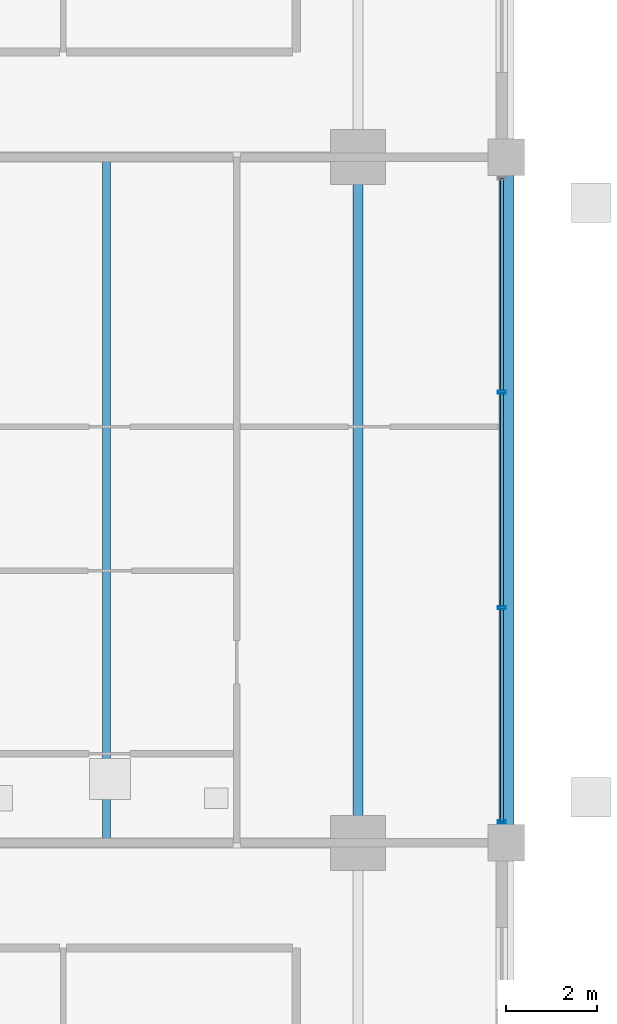
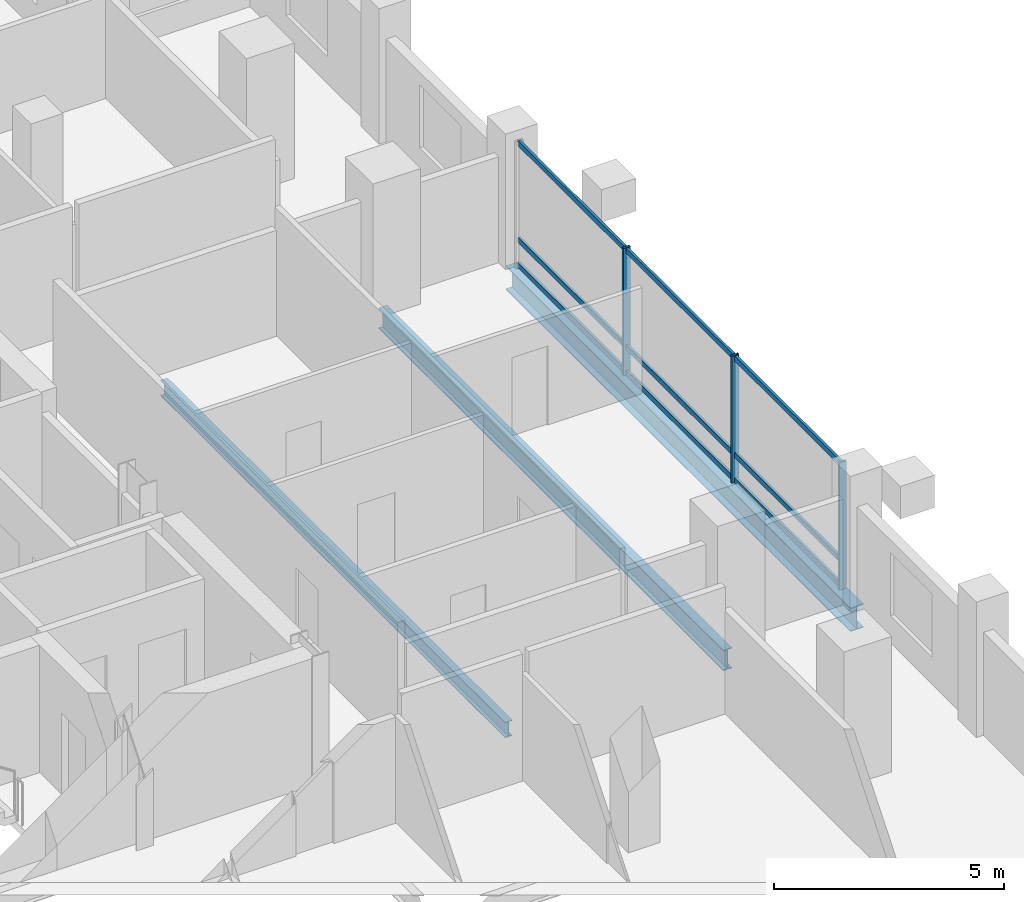
# One storey, part 7 of 20: 12 members, 3 beams, 1 element without a shape of its own.
"""IFC4 building model written with IfcOpenShell, lengths in metres."""

from ifc_helpers import new_model, si_unit, direction, frame, origin, origin_2d, place, context, subcontext, project, spatial, hollow_rectangle, i_section, extrude, material, layer, layer_set, material_profile, profile_set, type_object, element, aggregate, save


model = new_model("IFC4")

# Units and contexts
model_context = context("Model", 3, precision=1e-05, world=origin(), true_north=direction((0.0, 1.0)))
body_context = subcontext(model_context, "Body", "Model", "MODEL_VIEW")
ifc_project = project(units=[si_unit("LENGTHUNIT", "METRE"), si_unit("AREAUNIT", "SQUARE_METRE"), si_unit("VOLUMEUNIT", "CUBIC_METRE"), si_unit("PLANEANGLEUNIT", "RADIAN"), si_unit("MASSUNIT", "GRAM", prefix="KILO")], contexts=[model_context])

# Site, building, storey
site_placement = place(None, origin())
site = spatial("IfcSite", under=ifc_project, at=site_placement, CompositionType="ELEMENT")
building_placement = place(site_placement, origin())
building = spatial("IfcBuilding", under=site, at=building_placement, Name="Barlavira Tower and Art Museum", CompositionType="ELEMENT")
storey_placement = place(building_placement, frame((0.0, 0.0, 147.60009765625)))
storey = spatial("IfcBuildingStorey", under=building, at=storey_placement, Name="L37", CompositionType="ELEMENT", Elevation=147.60009765625)

# Curtain wall, members
ifc_material_1 = material(Name="Low-iron coastal laminated glass", Category="glass")
ifc_layer = layer(ifc_material_1, 0.18994140625, Name="Low-iron coastal laminated glass")
ifc_layer_set = layer_set([ifc_layer], Name="Low-iron coastal laminated glass")
curtain_wall_type = type_object("IfcCurtainWallType", Name="Pale-Metal Unitised Curtain Wall Zone 2", PredefinedType="NOTDEFINED", material=ifc_layer_set)
curtain_wall_placement = place(storey_placement, origin())
curtain_wall = element("IfcCurtainWall", 1, at=curtain_wall_placement, inside=storey, type_object=curtain_wall_type, Name="L37 Curtain Wall CW2-L37-E-B3", PredefinedType="NOTDEFINED")
ifc_material_2 = material(Name="Pale anodised aluminium", Category="aluminium")
ifc_material_profile_1 = material_profile(ifc_material_2, hollow_rectangle(XDim=0.06494140625, YDim=0.179931640625, WallThickness=0.00390625, at=origin_2d()), Name="ALU-MULL 65x180x4")
ifc_profile_set_1 = profile_set([ifc_material_profile_1], Name="Pale anodised aluminium")
member_type_1 = type_object("IfcMemberType", Name="Curtain Wall Pale-Metal Mullion 65x180", PredefinedType="MULLION", material=ifc_profile_set_1)
member_1_placement = place(storey_placement, frame((20.14990234375, -7.034912109375, 0.0), z_axis=(0.0, 0.0, 1.0), x_axis=(0.0, 1.0, 0.0)))
member_1 = element("IfcMember", 2, at=member_1_placement, type_object=member_type_1, Name="CW2-L37-E-B3 Mullion 0", PredefinedType="MULLION", context=body_context, shape_type="SweptSolid", body=[
    extrude(hollow_rectangle(XDim=0.06494140625, YDim=0.179931640625, WallThickness=0.00390625, at=origin_2d()), origin(), (0.0, 0.0, 1.0), 3.3798828125),
])
member_2_placement = place(storey_placement, frame((20.14990234375, -2.360107421875, 0.0), z_axis=(0.0, 0.0, 1.0), x_axis=(0.0, 1.0, 0.0)))
member_2 = element("IfcMember", 3, at=member_2_placement, type_object=member_type_1, Name="CW2-L37-E-B3 Mullion 1", PredefinedType="MULLION", context=body_context, shape_type="SweptSolid", body=[
    extrude(hollow_rectangle(XDim=0.06494140625, YDim=0.179931640625, WallThickness=0.00390625, at=origin_2d()), origin(), (0.0, 0.0, 1.0), 3.3798828125),
])
member_3_placement = place(storey_placement, frame((20.14990234375, 2.360107421875, 0.0), z_axis=(0.0, 0.0, 1.0), x_axis=(0.0, 1.0, 0.0)))
member_3 = element("IfcMember", 4, at=member_3_placement, type_object=member_type_1, Name="CW2-L37-E-B3 Mullion 2", PredefinedType="MULLION", context=body_context, shape_type="SweptSolid", body=[
    extrude(hollow_rectangle(XDim=0.06494140625, YDim=0.179931640625, WallThickness=0.00390625, at=origin_2d()), origin(), (0.0, 0.0, 1.0), 3.3798828125),
])
ifc_material_profile_2 = material_profile(ifc_material_2, hollow_rectangle(XDim=0.06494140625, YDim=0.139892578125, WallThickness=0.00390625, at=origin_2d()), Name="ALU-TRAN 65x140x4")
ifc_profile_set_2 = profile_set([ifc_material_profile_2], Name="Pale anodised aluminium")
member_type_2 = type_object("IfcMemberType", Name="Curtain Wall Pale-Metal Transom 65x140", PredefinedType="USERDEFINED", material=ifc_profile_set_2)
member_4_placement = place(storey_placement, frame((20.14990234375, -7.034912109375, 0.06982421875), z_axis=(0.0, 1.0, 0.0), x_axis=(-1.0, 0.0, 0.0)))
member_4 = element("IfcMember", 5, at=member_4_placement, type_object=member_type_2, Name="CW2-L37-E-B3 Transom 0.1", ObjectType="TRANSOM", PredefinedType="USERDEFINED", context=body_context, shape_type="SweptSolid", body=[
    extrude(hollow_rectangle(XDim=0.06494140625, YDim=0.139892578125, WallThickness=0.00390625, at=origin_2d()), origin(), (0.0, 0.0, 1.0), 4.6298828125),
])
member_5_placement = place(storey_placement, frame((20.14990234375, -7.034912109375, 0.743896484375), z_axis=(0.0, 1.0, 0.0), x_axis=(-1.0, 0.0, 0.0)))
member_5 = element("IfcMember", 6, at=member_5_placement, type_object=member_type_2, Name="CW2-L37-E-B3 Transom 0.2", ObjectType="TRANSOM", PredefinedType="USERDEFINED", context=body_context, shape_type="SweptSolid", body=[
    extrude(hollow_rectangle(XDim=0.06494140625, YDim=0.139892578125, WallThickness=0.00390625, at=origin_2d()), origin(), (0.0, 0.0, 1.0), 4.6298828125),
])
member_6_placement = place(storey_placement, frame((20.14990234375, -7.034912109375, 3.309814453125), z_axis=(0.0, 1.0, 0.0), x_axis=(-1.0, 0.0, 0.0)))
member_6 = element("IfcMember", 7, at=member_6_placement, type_object=member_type_2, Name="CW2-L37-E-B3 Transom 0.3", ObjectType="TRANSOM", PredefinedType="USERDEFINED", context=body_context, shape_type="SweptSolid", body=[
    extrude(hollow_rectangle(XDim=0.06494140625, YDim=0.139892578125, WallThickness=0.00390625, at=origin_2d()), origin(), (0.0, 0.0, 1.0), 4.6298828125),
])
member_7_placement = place(storey_placement, frame((20.14990234375, -2.31494140625, 0.06982421875), z_axis=(0.0, 1.0, 0.0), x_axis=(-1.0, 0.0, 0.0)))
member_7 = element("IfcMember", 8, at=member_7_placement, type_object=member_type_2, Name="CW2-L37-E-B3 Transom 1.1", ObjectType="TRANSOM", PredefinedType="USERDEFINED", context=body_context, shape_type="SweptSolid", body=[
    extrude(hollow_rectangle(XDim=0.06494140625, YDim=0.139892578125, WallThickness=0.00390625, at=origin_2d()), origin(), (0.0, 0.0, 1.0), 4.6298828125),
])
member_8_placement = place(storey_placement, frame((20.14990234375, -2.31494140625, 0.743896484375), z_axis=(0.0, 1.0, 0.0), x_axis=(-1.0, 0.0, 0.0)))
member_8 = element("IfcMember", 9, at=member_8_placement, type_object=member_type_2, Name="CW2-L37-E-B3 Transom 1.2", ObjectType="TRANSOM", PredefinedType="USERDEFINED", context=body_context, shape_type="SweptSolid", body=[
    extrude(hollow_rectangle(XDim=0.06494140625, YDim=0.139892578125, WallThickness=0.00390625, at=origin_2d()), origin(), (0.0, 0.0, 1.0), 4.6298828125),
])
member_9_placement = place(storey_placement, frame((20.14990234375, -2.31494140625, 3.309814453125), z_axis=(0.0, 1.0, 0.0), x_axis=(-1.0, 0.0, 0.0)))
member_9 = element("IfcMember", 10, at=member_9_placement, type_object=member_type_2, Name="CW2-L37-E-B3 Transom 1.3", ObjectType="TRANSOM", PredefinedType="USERDEFINED", context=body_context, shape_type="SweptSolid", body=[
    extrude(hollow_rectangle(XDim=0.06494140625, YDim=0.139892578125, WallThickness=0.00390625, at=origin_2d()), origin(), (0.0, 0.0, 1.0), 4.6298828125),
])
member_10_placement = place(storey_placement, frame((20.14990234375, 2.405029296875, 0.06982421875), z_axis=(0.0, 1.0, 0.0), x_axis=(-1.0, 0.0, 0.0)))
member_10 = element("IfcMember", 11, at=member_10_placement, type_object=member_type_2, Name="CW2-L37-E-B3 Transom 2.1", ObjectType="TRANSOM", PredefinedType="USERDEFINED", context=body_context, shape_type="SweptSolid", body=[
    extrude(hollow_rectangle(XDim=0.06494140625, YDim=0.139892578125, WallThickness=0.00390625, at=origin_2d()), origin(), (0.0, 0.0, 1.0), 4.6298828125),
])
member_11_placement = place(storey_placement, frame((20.14990234375, 2.405029296875, 0.743896484375), z_axis=(0.0, 1.0, 0.0), x_axis=(-1.0, 0.0, 0.0)))
member_11 = element("IfcMember", 12, at=member_11_placement, type_object=member_type_2, Name="CW2-L37-E-B3 Transom 2.2", ObjectType="TRANSOM", PredefinedType="USERDEFINED", context=body_context, shape_type="SweptSolid", body=[
    extrude(hollow_rectangle(XDim=0.06494140625, YDim=0.139892578125, WallThickness=0.00390625, at=origin_2d()), origin(), (0.0, 0.0, 1.0), 4.6298828125),
])
member_12_placement = place(storey_placement, frame((20.14990234375, 2.405029296875, 3.309814453125), z_axis=(0.0, 1.0, 0.0), x_axis=(-1.0, 0.0, 0.0)))
member_12 = element("IfcMember", 13, at=member_12_placement, type_object=member_type_2, Name="CW2-L37-E-B3 Transom 2.3", ObjectType="TRANSOM", PredefinedType="USERDEFINED", context=body_context, shape_type="SweptSolid", body=[
    extrude(hollow_rectangle(XDim=0.06494140625, YDim=0.139892578125, WallThickness=0.00390625, at=origin_2d()), origin(), (0.0, 0.0, 1.0), 4.6298828125),
])
aggregate(curtain_wall, [member_1, member_2, member_3, member_4, member_5, member_6, member_7, member_8, member_9, member_10, member_11, member_12])

# Beams
ifc_material_3 = material(Name="Steel S355", Category="steel")
ifc_material_profile_3 = material_profile(ifc_material_3, i_section(OverallWidth=0.327880859375, OverallDepth=0.62890625, WebThickness=0.013916015625, FlangeThickness=0.021484375, at=origin_2d()), Name="W610x174.0")
ifc_profile_set_3 = profile_set([ifc_material_profile_3], Name="Steel S355")
beam_type_1 = type_object("IfcBeamType", Name="Perimeter Spandrel Edge Beam W610x174 Steel S355", PredefinedType="SPANDREL", material=ifc_profile_set_3)
beam_1_placement = place(storey_placement, frame((20.25, -7.5, -0.53466796875), z_axis=(0.0, 1.0, 0.0), x_axis=(-1.0, 0.0, 0.0)))
element("IfcBeam", 14, at=beam_1_placement, inside=storey, type_object=beam_type_1, Name="L37 Spandrel 6", PredefinedType="SPANDREL", context=body_context, shape_type="SweptSolid", body=[
    extrude(i_section(OverallWidth=0.327880859375, OverallDepth=0.62890625, WebThickness=0.013916015625, FlangeThickness=0.021484375, at=origin_2d()), origin(), (0.0, 0.0, 1.0), 15.0),
])
ifc_material_profile_4 = material_profile(ifc_material_3, i_section(OverallWidth=0.214111328125, OverallDepth=0.549072265625, WebThickness=0.0146484375, FlangeThickness=0.023681640625, at=origin_2d()), Name="W530x138.0")
ifc_profile_set_4 = profile_set([ifc_material_profile_4], Name="Steel S355")
beam_type_2 = type_object("IfcBeamType", Name="Zone 1 Primary Floor Girder W530x138 Steel S355", PredefinedType="BEAM", material=ifc_profile_set_4)
beam_2_placement = place(storey_placement, frame((17.0, -7.5, -0.49462890625), z_axis=(0.0, 1.0, 0.0), x_axis=(-1.0, 0.0, 0.0)))
element("IfcBeam", 15, at=beam_2_placement, inside=storey, type_object=beam_type_2, Name="L37 Girder M-E2", PredefinedType="BEAM", context=body_context, shape_type="SweptSolid", body=[
    extrude(i_section(OverallWidth=0.214111328125, OverallDepth=0.549072265625, WebThickness=0.0146484375, FlangeThickness=0.023681640625, at=origin_2d()), origin(), (0.0, 0.0, 1.0), 15.0),
])
ifc_material_profile_5 = material_profile(ifc_material_3, i_section(OverallWidth=0.179931640625, OverallDepth=0.4130859375, WebThickness=0.009765625, FlangeThickness=0.01611328125, at=origin_2d()), Name="W410x75.0")
ifc_profile_set_5 = profile_set([ifc_material_profile_5], Name="Steel S355")
beam_type_3 = type_object("IfcBeamType", Name="Zone 2 Composite Floor Joist W410x75 Steel S355", PredefinedType="JOIST", material=ifc_profile_set_5)
beam_3_placement = place(storey_placement, frame((11.5, -7.5, -0.426513671875), z_axis=(0.0, 1.0, 0.0), x_axis=(-1.0, 0.0, 0.0)))
element("IfcBeam", 16, at=beam_3_placement, inside=storey, type_object=beam_type_3, Name="L37 Joist W2", PredefinedType="JOIST", context=body_context, shape_type="SweptSolid", body=[
    extrude(i_section(OverallWidth=0.179931640625, OverallDepth=0.4130859375, WebThickness=0.009765625, FlangeThickness=0.01611328125, at=origin_2d()), origin(), (0.0, 0.0, 1.0), 15.0),
])

save(model, "model.ifc")
